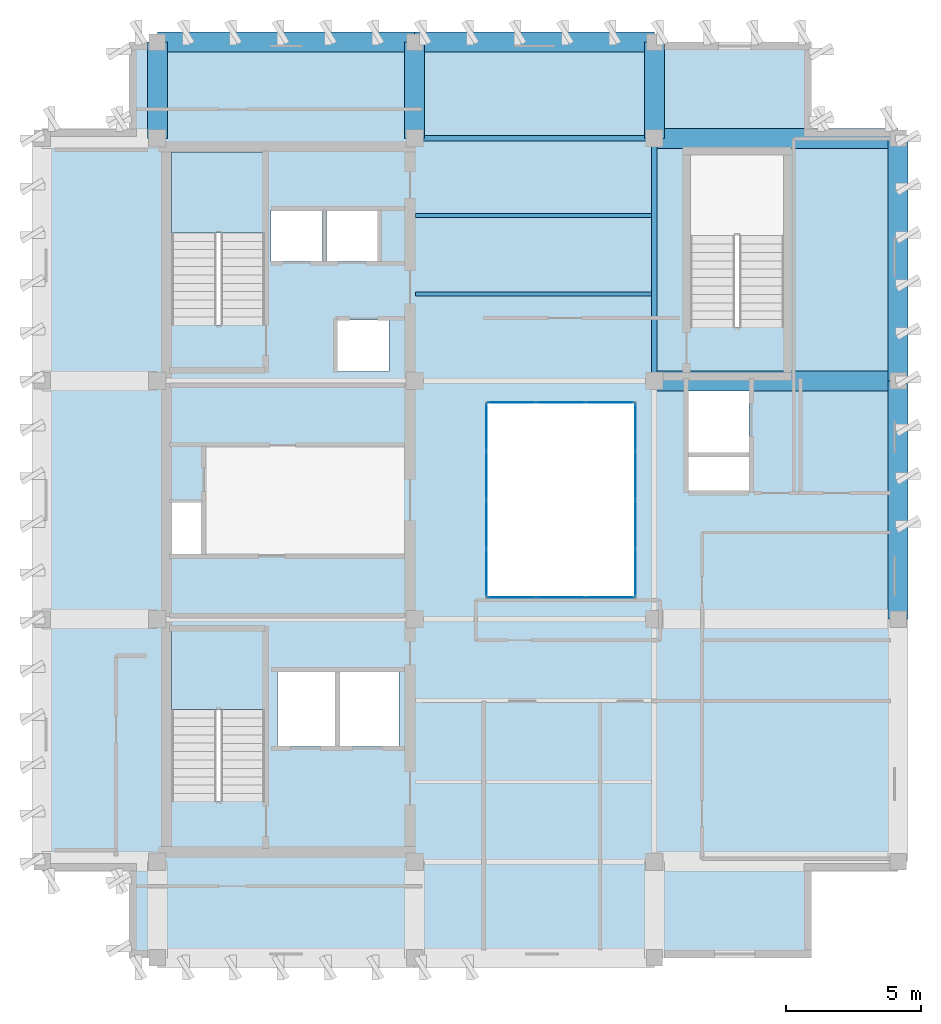
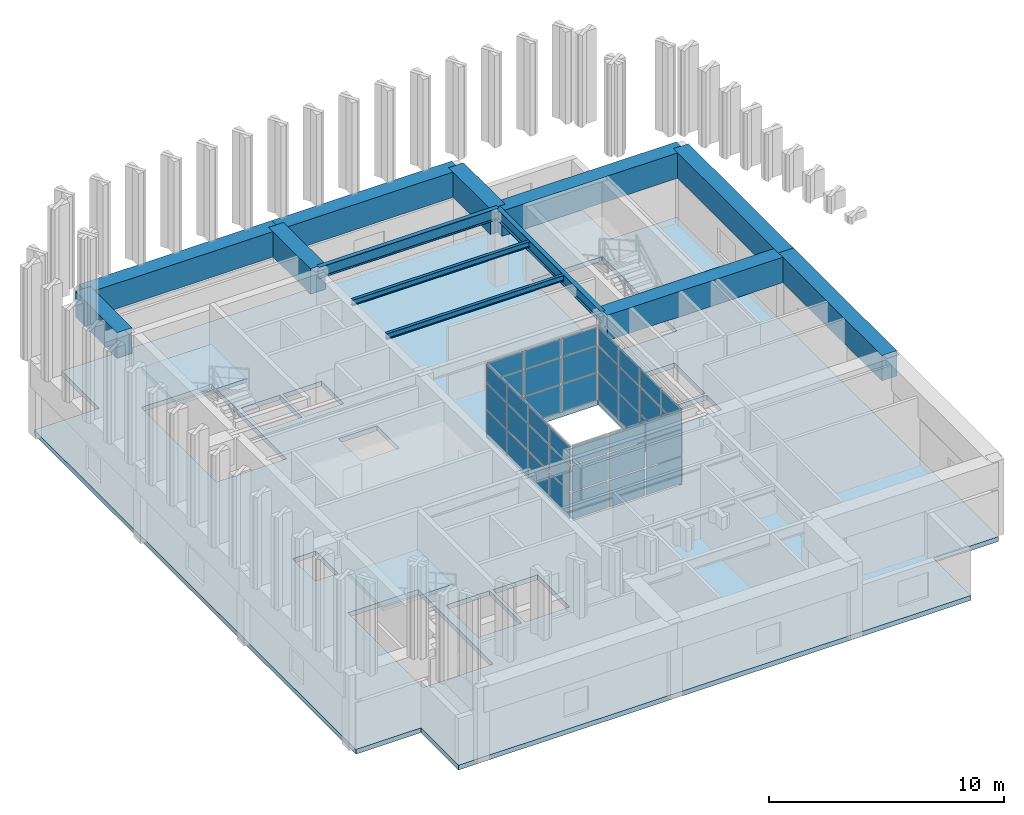
# One storey, part 5 of 11: 42 plates, 13 beams, 3 slabs, 6 elements without a shape of their own.
"""IFC4 building model written with IfcOpenShell, lengths in metres."""

from ifc_helpers import new_model, si_unit, direction, frame, origin, origin_2d, place, context, subcontext, project, spatial, polyline, rectangle, i_section, outline, extrude, material, layer, layer_set, material_profile, profile_set, type_object, element, aggregate, save


model = new_model("IFC4")

# Units and contexts
model_context = context("Model", 3, precision=1e-05, world=origin(), true_north=direction((0.0, 1.0)))
body_context = subcontext(model_context, "Body", "Model", "MODEL_VIEW")
ifc_project = project(units=[si_unit("LENGTHUNIT", "METRE"), si_unit("AREAUNIT", "SQUARE_METRE"), si_unit("VOLUMEUNIT", "CUBIC_METRE"), si_unit("PLANEANGLEUNIT", "RADIAN"), si_unit("MASSUNIT", "GRAM", prefix="KILO")], contexts=[model_context])

# Site, building, storey
site_placement = place(None, origin())
site = spatial("IfcSite", under=ifc_project, at=site_placement, CompositionType="ELEMENT")
building_placement = place(site_placement, origin())
building = spatial("IfcBuilding", under=site, at=building_placement, Name="Kundavana Baori Tower", CompositionType="ELEMENT")
storey_placement = place(building_placement, frame((0.0, 0.0, 350.5)))
storey = spatial("IfcBuildingStorey", under=building, at=storey_placement, Name="L87", CompositionType="ELEMENT", Elevation=350.5)

# Beams
ifc_material_1 = material(Name="Structural Steel S355JR", Category="steel")
ifc_material_profile_1 = material_profile(ifc_material_1, i_section(OverallWidth=0.139892578125, OverallDepth=0.300048828125, WebThickness=0.0078125, FlangeThickness=0.01318359375, FilletRadius=0.013916015625, at=origin_2d()), Name="ISMB 300")
ifc_profile_set_1 = profile_set([ifc_material_profile_1], Name="Structural Steel S355JR")
beam_type_1 = type_object("IfcBeamType", Name="BM-RF-300", PredefinedType="BEAM", material=ifc_profile_set_1)
for number, where, z_axis, x_axis, name in (
    (1, (24.97998046875, 36.199951171875, 3.75), (1.0, 0.0, 0.0), (0.0, 1.0, 0.0), "L87 Central Bay Composite Floor Joist C3"),
    (2, (24.97998046875, 39.10009765625, 3.75), (1.0, 0.0, 0.0), (0.0, 1.0, 0.0), "L87 Central Bay Composite Floor Joist C4"),
):
    element("IfcBeam", number, at=place(storey_placement, frame(where, z_axis=z_axis, x_axis=x_axis)), inside=storey, type_object=beam_type_1, Name=name, PredefinedType="BEAM", context=body_context, shape_type="SweptSolid", body=[
        extrude(i_section(OverallWidth=0.139892578125, OverallDepth=0.300048828125, WebThickness=0.0078125, FlangeThickness=0.01318359375, FilletRadius=0.013916015625, at=origin_2d()), origin(), (0.0, 0.0, 1.0), 8.715087890625),
    ])
ifc_material_2 = material(Name="Structural Steel S355JR", Category="steel")
ifc_material_profile_2 = material_profile(ifc_material_2, i_section(OverallWidth=0.2099609375, OverallDepth=0.60009765625, WebThickness=0.011962890625, FlangeThickness=0.020751953125, FilletRadius=0.02001953125, at=origin_2d()), Name="ISMB 600")
ifc_profile_set_2 = profile_set([ifc_material_profile_2], Name="Structural Steel S355JR")
beam_type_2 = type_object("IfcBeamType", Name="BM-ST-600", PredefinedType="BEAM", material=ifc_profile_set_2)
beam_1_placement = place(storey_placement, frame((24.949951171875, 41.949951171875, 3.60009765625), z_axis=(1.0, 0.0, 0.0), x_axis=(0.0, 1.0, 0.0)))
element("IfcBeam", 3, at=beam_1_placement, inside=storey, type_object=beam_type_2, Name="L87 Primary Grid Girder GX-4-2", PredefinedType="BEAM", context=body_context, shape_type="SweptSolid", body=[
    extrude(i_section(OverallWidth=0.2099609375, OverallDepth=0.60009765625, WebThickness=0.011962890625, FlangeThickness=0.020751953125, FilletRadius=0.02001953125, at=origin_2d()), origin(), (0.0, 0.0, 1.0), 8.85009765625),
])
beam_2_placement = place(storey_placement, frame((33.800048828125, 33.0, 3.60009765625), z_axis=(0.0, 1.0, 0.0), x_axis=(-1.0, 0.0, 0.0)))
element("IfcBeam", 4, at=beam_2_placement, inside=storey, type_object=beam_type_2, Name="L87 Primary Grid Girder GY-3-3", PredefinedType="BEAM", context=body_context, shape_type="SweptSolid", body=[
    extrude(i_section(OverallWidth=0.2099609375, OverallDepth=0.60009765625, WebThickness=0.011962890625, FlangeThickness=0.020751953125, FilletRadius=0.02001953125, at=origin_2d()), origin(), (0.0, 0.0, 1.0), 8.949951171875),
])
ifc_material_3 = material(Name="Concrete C50/60", Category="concrete")
ifc_material_profile_3 = material_profile(ifc_material_3, rectangle(XDim=0.739990234375, YDim=1.320068359375, at=origin_2d()), Name="BM-TG-5")
ifc_profile_set_3 = profile_set([ifc_material_profile_3], Name="Concrete C50/60")
beam_type_3 = type_object("IfcBeamType", Name="BM-TG-5", PredefinedType="USERDEFINED", material=ifc_profile_set_3)
beam_3_placement = place(storey_placement, frame((15.449951171875, 45.5, 3.239990234375), z_axis=(1.0, 0.0, 0.0), x_axis=(0.0, 1.0, 0.0)))
element("IfcBeam", 5, at=beam_3_placement, inside=storey, type_object=beam_type_3, Name="L87 Perimeter Frame Ring Beam N1", ObjectType="TRANSFER GIRDER", PredefinedType="USERDEFINED", context=body_context, shape_type="SweptSolid", body=[
    extrude(rectangle(XDim=0.739990234375, YDim=1.320068359375, at=origin_2d()), origin(), (0.0, 0.0, 1.0), 9.5),
])
beam_4_placement = place(storey_placement, frame((24.949951171875, 45.5, 3.239990234375), z_axis=(1.0, 0.0, 0.0), x_axis=(0.0, 1.0, 0.0)))
element("IfcBeam", 6, at=beam_4_placement, inside=storey, type_object=beam_type_3, Name="L87 Perimeter Frame Ring Beam N2", ObjectType="TRANSFER GIRDER", PredefinedType="USERDEFINED", context=body_context, shape_type="SweptSolid", body=[
    extrude(rectangle(XDim=0.739990234375, YDim=1.320068359375, at=origin_2d()), origin(), (0.0, 0.0, 1.0), 8.85009765625),
])
beam_5_placement = place(storey_placement, frame((42.800048828125, 24.199951171875, 3.239990234375), z_axis=(0.0, 1.0, 0.0), x_axis=(-1.0, 0.0, 0.0)))
element("IfcBeam", 7, at=beam_5_placement, inside=storey, type_object=beam_type_3, Name="L87 Perimeter Frame Ring Beam E2", ObjectType="TRANSFER GIRDER", PredefinedType="USERDEFINED", context=body_context, shape_type="SweptSolid", body=[
    extrude(rectangle(XDim=0.739990234375, YDim=1.320068359375, at=origin_2d()), origin(), (0.0, 0.0, 1.0), 8.800048828125),
])
beam_6_placement = place(storey_placement, frame((42.800048828125, 33.0, 3.239990234375), z_axis=(0.0, 1.0, 0.0), x_axis=(-1.0, 0.0, 0.0)))
element("IfcBeam", 8, at=beam_6_placement, inside=storey, type_object=beam_type_3, Name="L87 Perimeter Frame Ring Beam E3", ObjectType="TRANSFER GIRDER", PredefinedType="USERDEFINED", context=body_context, shape_type="SweptSolid", body=[
    extrude(rectangle(XDim=0.739990234375, YDim=1.320068359375, at=origin_2d()), origin(), (0.0, 0.0, 1.0), 8.949951171875),
])
for number, where, z_axis, x_axis, name in (
    (9, (15.449951171875, 41.949951171875, 3.239990234375), (0.0, 1.0, 0.0), (-1.0, 0.0, 0.0), "L87 North Radial Transfer Girder N1"),
    (10, (24.949951171875, 41.949951171875, 3.239990234375), (0.0, 1.0, 0.0), (-1.0, 0.0, 0.0), "L87 North Radial Transfer Girder N2"),
    (11, (33.800048828125, 41.949951171875, 3.239990234375), (0.0, 1.0, 0.0), (-1.0, 0.0, 0.0), "L87 North Radial Transfer Girder N3"),
):
    element("IfcBeam", number, at=place(storey_placement, frame(where, z_axis=z_axis, x_axis=x_axis)), inside=storey, type_object=beam_type_3, Name=name, ObjectType="TRANSFER GIRDER", PredefinedType="USERDEFINED", context=body_context, shape_type="SweptSolid", body=[
        extrude(rectangle(XDim=0.739990234375, YDim=1.320068359375, at=origin_2d()), origin(), (0.0, 0.0, 1.0), 3.550048828125),
    ])
for number, where, z_axis, x_axis, name in (
    (12, (33.800048828125, 33.0, 3.239990234375), (1.0, 0.0, 0.0), (0.0, 1.0, 0.0), "L87 East Radial Transfer Girder E3"),
    (13, (33.800048828125, 41.949951171875, 3.239990234375), (1.0, 0.0, 0.0), (0.0, 1.0, 0.0), "L87 East Radial Transfer Girder E4"),
):
    element("IfcBeam", number, at=place(storey_placement, frame(where, z_axis=z_axis, x_axis=x_axis)), inside=storey, type_object=beam_type_3, Name=name, ObjectType="TRANSFER GIRDER", PredefinedType="USERDEFINED", context=body_context, shape_type="SweptSolid", body=[
        extrude(rectangle(XDim=0.739990234375, YDim=1.320068359375, at=origin_2d()), origin(), (0.0, 0.0, 1.0), 9.0),
    ])

# Curtain wall, plates
ifc_material_4 = material(Name="Thermally Broken Anodised Aluminium Framing", Category="aluminium")
ifc_layer_1 = layer(ifc_material_4, 0.235107421875, Name="CW-SYS-6")
ifc_layer_set_1 = layer_set([ifc_layer_1], Name="Thermally Broken Anodised Aluminium Framing")
curtain_wall_type = type_object("IfcCurtainWallType", Name="CW-SYS-6", PredefinedType="NOTDEFINED", material=ifc_layer_set_1)
curtain_wall_1_placement = place(storey_placement, origin())
curtain_wall_1 = element("IfcCurtainWall", 14, at=curtain_wall_1_placement, inside=storey, type_object=curtain_wall_type, Name="L87 Atrium Glazed Curtain Wall S", PredefinedType="NOTDEFINED")
ifc_material_5 = material(Name="Double-Glazed Solar-Control Low-E Insulated Glass", Category="glass")
ifc_layer_2 = layer(ifc_material_5, 0.028076171875, Name="CW-PNL-GLS28")
ifc_layer_set_2 = layer_set([ifc_layer_2], Name="Double-Glazed Solar-Control Low-E Insulated Glass")
plate_type = type_object("IfcPlateType", Name="CW-PNL-GLS28", PredefinedType="CURTAIN_PANEL", material=ifc_layer_set_2)
plate_1_placement = place(storey_placement, frame((28.532958984375, 25.0, 0.06494140625), z_axis=(0.0, 0.0, 1.0), x_axis=(1.0, 0.0, 0.0)))
plate_1 = element("IfcPlate", 15, at=plate_1_placement, type_object=plate_type, Name="CW6 panel 1.1", PredefinedType="CURTAIN_PANEL", context=body_context, shape_type="SweptSolid", body=[
    extrude(rectangle(XDim=1.73583984375, YDim=0.028076171875, at=origin_2d()), origin(), (0.0, 0.0, 1.0), 1.384521484375),
])
plate_2_placement = place(storey_placement, frame((28.532958984375, 25.0, 1.5146484375), z_axis=(0.0, 0.0, 1.0), x_axis=(1.0, 0.0, 0.0)))
plate_2 = element("IfcPlate", 16, at=plate_2_placement, type_object=plate_type, Name="CW6 panel 1.2", PredefinedType="CURTAIN_PANEL", context=body_context, shape_type="SweptSolid", body=[
    extrude(rectangle(XDim=1.73583984375, YDim=0.028076171875, at=origin_2d()), origin(), (0.0, 0.0, 1.0), 1.339111328125),
])
plate_3_placement = place(storey_placement, frame((28.532958984375, 25.0, 2.91845703125), z_axis=(0.0, 0.0, 1.0), x_axis=(1.0, 0.0, 0.0)))
plate_3 = element("IfcPlate", 17, at=plate_3_placement, type_object=plate_type, Name="CW6 panel 1.3", PredefinedType="CURTAIN_PANEL", context=body_context, shape_type="SweptSolid", body=[
    extrude(rectangle(XDim=1.73583984375, YDim=0.028076171875, at=origin_2d()), origin(), (0.0, 0.0, 1.0), 0.91650390625),
])
plate_4_placement = place(storey_placement, frame((30.35009765625, 25.0, 0.06494140625), z_axis=(0.0, 0.0, 1.0), x_axis=(1.0, 0.0, 0.0)))
plate_4 = element("IfcPlate", 18, at=plate_4_placement, type_object=plate_type, Name="CW6 panel 2.1", PredefinedType="CURTAIN_PANEL", context=body_context, shape_type="SweptSolid", body=[
    extrude(rectangle(XDim=1.768310546875, YDim=0.028076171875, at=origin_2d()), origin(), (0.0, 0.0, 1.0), 1.384521484375),
])
plate_5_placement = place(storey_placement, frame((30.35009765625, 25.0, 1.5146484375), z_axis=(0.0, 0.0, 1.0), x_axis=(1.0, 0.0, 0.0)))
plate_5 = element("IfcPlate", 19, at=plate_5_placement, type_object=plate_type, Name="CW6 panel 2.2", PredefinedType="CURTAIN_PANEL", context=body_context, shape_type="SweptSolid", body=[
    extrude(rectangle(XDim=1.768310546875, YDim=0.028076171875, at=origin_2d()), origin(), (0.0, 0.0, 1.0), 1.339111328125),
])
plate_6_placement = place(storey_placement, frame((30.35009765625, 25.0, 2.91845703125), z_axis=(0.0, 0.0, 1.0), x_axis=(1.0, 0.0, 0.0)))
plate_6 = element("IfcPlate", 20, at=plate_6_placement, type_object=plate_type, Name="CW6 panel 2.3", PredefinedType="CURTAIN_PANEL", context=body_context, shape_type="SweptSolid", body=[
    extrude(rectangle(XDim=1.768310546875, YDim=0.028076171875, at=origin_2d()), origin(), (0.0, 0.0, 1.0), 0.91650390625),
])
plate_7_placement = place(storey_placement, frame((32.1669921875, 25.0, 0.06494140625), z_axis=(0.0, 0.0, 1.0), x_axis=(1.0, 0.0, 0.0)))
plate_7 = element("IfcPlate", 21, at=plate_7_placement, type_object=plate_type, Name="CW6 panel 3.1", PredefinedType="CURTAIN_PANEL", context=body_context, shape_type="SweptSolid", body=[
    extrude(rectangle(XDim=1.73583984375, YDim=0.028076171875, at=origin_2d()), origin(), (0.0, 0.0, 1.0), 1.384521484375),
])
plate_8_placement = place(storey_placement, frame((32.1669921875, 25.0, 1.5146484375), z_axis=(0.0, 0.0, 1.0), x_axis=(1.0, 0.0, 0.0)))
plate_8 = element("IfcPlate", 22, at=plate_8_placement, type_object=plate_type, Name="CW6 panel 3.2", PredefinedType="CURTAIN_PANEL", context=body_context, shape_type="SweptSolid", body=[
    extrude(rectangle(XDim=1.73583984375, YDim=0.028076171875, at=origin_2d()), origin(), (0.0, 0.0, 1.0), 1.339111328125),
])
plate_9_placement = place(storey_placement, frame((32.1669921875, 25.0, 2.91845703125), z_axis=(0.0, 0.0, 1.0), x_axis=(1.0, 0.0, 0.0)))
plate_9 = element("IfcPlate", 23, at=plate_9_placement, type_object=plate_type, Name="CW6 panel 3.3", PredefinedType="CURTAIN_PANEL", context=body_context, shape_type="SweptSolid", body=[
    extrude(rectangle(XDim=1.73583984375, YDim=0.028076171875, at=origin_2d()), origin(), (0.0, 0.0, 1.0), 0.91650390625),
])
aggregate(curtain_wall_1, [plate_1, plate_2, plate_3, plate_4, plate_5, plate_6, plate_7, plate_8, plate_9])

curtain_wall_2_placement = place(storey_placement, origin())
curtain_wall_2 = element("IfcCurtainWall", 24, at=curtain_wall_2_placement, inside=storey, type_object=curtain_wall_type, Name="L87 Atrium Glazed Curtain Wall E", PredefinedType="NOTDEFINED")
plate_10_placement = place(storey_placement, frame((33.10009765625, 25.916259765625, 0.06494140625), z_axis=(0.0, 0.0, 1.0), x_axis=(0.0, 1.0, 0.0)))
plate_10 = element("IfcPlate", 25, at=plate_10_placement, type_object=plate_type, Name="CW6 panel 1.1", PredefinedType="CURTAIN_PANEL", context=body_context, shape_type="SweptSolid", body=[
    extrude(rectangle(XDim=1.702392578125, YDim=0.028076171875, at=origin_2d()), origin(), (0.0, 0.0, 1.0), 1.384521484375),
])
plate_11_placement = place(storey_placement, frame((33.10009765625, 25.916259765625, 1.5146484375), z_axis=(0.0, 0.0, 1.0), x_axis=(0.0, 1.0, 0.0)))
plate_11 = element("IfcPlate", 26, at=plate_11_placement, type_object=plate_type, Name="CW6 panel 1.2", PredefinedType="CURTAIN_PANEL", context=body_context, shape_type="SweptSolid", body=[
    extrude(rectangle(XDim=1.702392578125, YDim=0.028076171875, at=origin_2d()), origin(), (0.0, 0.0, 1.0), 1.339111328125),
])
plate_12_placement = place(storey_placement, frame((33.10009765625, 25.916259765625, 2.91845703125), z_axis=(0.0, 0.0, 1.0), x_axis=(0.0, 1.0, 0.0)))
plate_12 = element("IfcPlate", 27, at=plate_12_placement, type_object=plate_type, Name="CW6 panel 1.3", PredefinedType="CURTAIN_PANEL", context=body_context, shape_type="SweptSolid", body=[
    extrude(rectangle(XDim=1.702392578125, YDim=0.028076171875, at=origin_2d()), origin(), (0.0, 0.0, 1.0), 0.91650390625),
])
plate_13_placement = place(storey_placement, frame((33.10009765625, 27.699951171875, 0.06494140625), z_axis=(0.0, 0.0, 1.0), x_axis=(0.0, 1.0, 0.0)))
plate_13 = element("IfcPlate", 28, at=plate_13_placement, type_object=plate_type, Name="CW6 panel 2.1", PredefinedType="CURTAIN_PANEL", context=body_context, shape_type="SweptSolid", body=[
    extrude(rectangle(XDim=1.735107421875, YDim=0.028076171875, at=origin_2d()), origin(), (0.0, 0.0, 1.0), 1.384521484375),
])
plate_14_placement = place(storey_placement, frame((33.10009765625, 27.699951171875, 1.5146484375), z_axis=(0.0, 0.0, 1.0), x_axis=(0.0, 1.0, 0.0)))
plate_14 = element("IfcPlate", 29, at=plate_14_placement, type_object=plate_type, Name="CW6 panel 2.2", PredefinedType="CURTAIN_PANEL", context=body_context, shape_type="SweptSolid", body=[
    extrude(rectangle(XDim=1.735107421875, YDim=0.028076171875, at=origin_2d()), origin(), (0.0, 0.0, 1.0), 1.339111328125),
])
plate_15_placement = place(storey_placement, frame((33.10009765625, 27.699951171875, 2.91845703125), z_axis=(0.0, 0.0, 1.0), x_axis=(0.0, 1.0, 0.0)))
plate_15 = element("IfcPlate", 30, at=plate_15_placement, type_object=plate_type, Name="CW6 panel 2.3", PredefinedType="CURTAIN_PANEL", context=body_context, shape_type="SweptSolid", body=[
    extrude(rectangle(XDim=1.735107421875, YDim=0.028076171875, at=origin_2d()), origin(), (0.0, 0.0, 1.0), 0.91650390625),
])
plate_16_placement = place(storey_placement, frame((33.10009765625, 29.5, 0.06494140625), z_axis=(0.0, 0.0, 1.0), x_axis=(0.0, 1.0, 0.0)))
plate_16 = element("IfcPlate", 31, at=plate_16_placement, type_object=plate_type, Name="CW6 panel 3.1", PredefinedType="CURTAIN_PANEL", context=body_context, shape_type="SweptSolid", body=[
    extrude(rectangle(XDim=1.735107421875, YDim=0.028076171875, at=origin_2d()), origin(), (0.0, 0.0, 1.0), 1.384521484375),
])
plate_17_placement = place(storey_placement, frame((33.10009765625, 29.5, 1.5146484375), z_axis=(0.0, 0.0, 1.0), x_axis=(0.0, 1.0, 0.0)))
plate_17 = element("IfcPlate", 32, at=plate_17_placement, type_object=plate_type, Name="CW6 panel 3.2", PredefinedType="CURTAIN_PANEL", context=body_context, shape_type="SweptSolid", body=[
    extrude(rectangle(XDim=1.735107421875, YDim=0.028076171875, at=origin_2d()), origin(), (0.0, 0.0, 1.0), 1.339111328125),
])
plate_18_placement = place(storey_placement, frame((33.10009765625, 29.5, 2.91845703125), z_axis=(0.0, 0.0, 1.0), x_axis=(0.0, 1.0, 0.0)))
plate_18 = element("IfcPlate", 33, at=plate_18_placement, type_object=plate_type, Name="CW6 panel 3.3", PredefinedType="CURTAIN_PANEL", context=body_context, shape_type="SweptSolid", body=[
    extrude(rectangle(XDim=1.735107421875, YDim=0.028076171875, at=origin_2d()), origin(), (0.0, 0.0, 1.0), 0.91650390625),
])
plate_19_placement = place(storey_placement, frame((33.10009765625, 31.28369140625, 0.06494140625), z_axis=(0.0, 0.0, 1.0), x_axis=(0.0, 1.0, 0.0)))
plate_19 = element("IfcPlate", 34, at=plate_19_placement, type_object=plate_type, Name="CW6 panel 4.1", PredefinedType="CURTAIN_PANEL", context=body_context, shape_type="SweptSolid", body=[
    extrude(rectangle(XDim=1.702392578125, YDim=0.028076171875, at=origin_2d()), origin(), (0.0, 0.0, 1.0), 1.384521484375),
])
plate_20_placement = place(storey_placement, frame((33.10009765625, 31.28369140625, 1.5146484375), z_axis=(0.0, 0.0, 1.0), x_axis=(0.0, 1.0, 0.0)))
plate_20 = element("IfcPlate", 35, at=plate_20_placement, type_object=plate_type, Name="CW6 panel 4.2", PredefinedType="CURTAIN_PANEL", context=body_context, shape_type="SweptSolid", body=[
    extrude(rectangle(XDim=1.702392578125, YDim=0.028076171875, at=origin_2d()), origin(), (0.0, 0.0, 1.0), 1.339111328125),
])
plate_21_placement = place(storey_placement, frame((33.10009765625, 31.28369140625, 2.91845703125), z_axis=(0.0, 0.0, 1.0), x_axis=(0.0, 1.0, 0.0)))
plate_21 = element("IfcPlate", 36, at=plate_21_placement, type_object=plate_type, Name="CW6 panel 4.3", PredefinedType="CURTAIN_PANEL", context=body_context, shape_type="SweptSolid", body=[
    extrude(rectangle(XDim=1.702392578125, YDim=0.028076171875, at=origin_2d()), origin(), (0.0, 0.0, 1.0), 0.91650390625),
])
aggregate(curtain_wall_2, [plate_10, plate_11, plate_12, plate_13, plate_14, plate_15, plate_16, plate_17, plate_18, plate_19, plate_20, plate_21])

curtain_wall_3_placement = place(storey_placement, origin())
curtain_wall_3 = element("IfcCurtainWall", 37, at=curtain_wall_3_placement, inside=storey, type_object=curtain_wall_type, Name="L87 Atrium Glazed Curtain Wall N", PredefinedType="NOTDEFINED")
plate_22_placement = place(storey_placement, frame((32.1669921875, 32.199951171875, 0.06494140625), z_axis=(0.0, 0.0, 1.0), x_axis=(-1.0, 0.0, 0.0)))
plate_22 = element("IfcPlate", 38, at=plate_22_placement, type_object=plate_type, Name="CW6 panel 1.1", PredefinedType="CURTAIN_PANEL", context=body_context, shape_type="SweptSolid", body=[
    extrude(rectangle(XDim=1.73583984375, YDim=0.028076171875, at=origin_2d()), origin(), (0.0, 0.0, 1.0), 1.384521484375),
])
plate_23_placement = place(storey_placement, frame((32.1669921875, 32.199951171875, 1.5146484375), z_axis=(0.0, 0.0, 1.0), x_axis=(-1.0, 0.0, 0.0)))
plate_23 = element("IfcPlate", 39, at=plate_23_placement, type_object=plate_type, Name="CW6 panel 1.2", PredefinedType="CURTAIN_PANEL", context=body_context, shape_type="SweptSolid", body=[
    extrude(rectangle(XDim=1.73583984375, YDim=0.028076171875, at=origin_2d()), origin(), (0.0, 0.0, 1.0), 1.339111328125),
])
plate_24_placement = place(storey_placement, frame((32.1669921875, 32.199951171875, 2.91845703125), z_axis=(0.0, 0.0, 1.0), x_axis=(-1.0, 0.0, 0.0)))
plate_24 = element("IfcPlate", 40, at=plate_24_placement, type_object=plate_type, Name="CW6 panel 1.3", PredefinedType="CURTAIN_PANEL", context=body_context, shape_type="SweptSolid", body=[
    extrude(rectangle(XDim=1.73583984375, YDim=0.028076171875, at=origin_2d()), origin(), (0.0, 0.0, 1.0), 0.91650390625),
])
plate_25_placement = place(storey_placement, frame((30.35009765625, 32.199951171875, 0.06494140625), z_axis=(0.0, 0.0, 1.0), x_axis=(-1.0, 0.0, 0.0)))
plate_25 = element("IfcPlate", 41, at=plate_25_placement, type_object=plate_type, Name="CW6 panel 2.1", PredefinedType="CURTAIN_PANEL", context=body_context, shape_type="SweptSolid", body=[
    extrude(rectangle(XDim=1.768310546875, YDim=0.028076171875, at=origin_2d()), origin(), (0.0, 0.0, 1.0), 1.384521484375),
])
plate_26_placement = place(storey_placement, frame((30.35009765625, 32.199951171875, 1.5146484375), z_axis=(0.0, 0.0, 1.0), x_axis=(-1.0, 0.0, 0.0)))
plate_26 = element("IfcPlate", 42, at=plate_26_placement, type_object=plate_type, Name="CW6 panel 2.2", PredefinedType="CURTAIN_PANEL", context=body_context, shape_type="SweptSolid", body=[
    extrude(rectangle(XDim=1.768310546875, YDim=0.028076171875, at=origin_2d()), origin(), (0.0, 0.0, 1.0), 1.339111328125),
])
plate_27_placement = place(storey_placement, frame((30.35009765625, 32.199951171875, 2.91845703125), z_axis=(0.0, 0.0, 1.0), x_axis=(-1.0, 0.0, 0.0)))
plate_27 = element("IfcPlate", 43, at=plate_27_placement, type_object=plate_type, Name="CW6 panel 2.3", PredefinedType="CURTAIN_PANEL", context=body_context, shape_type="SweptSolid", body=[
    extrude(rectangle(XDim=1.768310546875, YDim=0.028076171875, at=origin_2d()), origin(), (0.0, 0.0, 1.0), 0.91650390625),
])
plate_28_placement = place(storey_placement, frame((28.532958984375, 32.199951171875, 0.06494140625), z_axis=(0.0, 0.0, 1.0), x_axis=(-1.0, 0.0, 0.0)))
plate_28 = element("IfcPlate", 44, at=plate_28_placement, type_object=plate_type, Name="CW6 panel 3.1", PredefinedType="CURTAIN_PANEL", context=body_context, shape_type="SweptSolid", body=[
    extrude(rectangle(XDim=1.73583984375, YDim=0.028076171875, at=origin_2d()), origin(), (0.0, 0.0, 1.0), 1.384521484375),
])
plate_29_placement = place(storey_placement, frame((28.532958984375, 32.199951171875, 1.5146484375), z_axis=(0.0, 0.0, 1.0), x_axis=(-1.0, 0.0, 0.0)))
plate_29 = element("IfcPlate", 45, at=plate_29_placement, type_object=plate_type, Name="CW6 panel 3.2", PredefinedType="CURTAIN_PANEL", context=body_context, shape_type="SweptSolid", body=[
    extrude(rectangle(XDim=1.73583984375, YDim=0.028076171875, at=origin_2d()), origin(), (0.0, 0.0, 1.0), 1.339111328125),
])
plate_30_placement = place(storey_placement, frame((28.532958984375, 32.199951171875, 2.91845703125), z_axis=(0.0, 0.0, 1.0), x_axis=(-1.0, 0.0, 0.0)))
plate_30 = element("IfcPlate", 46, at=plate_30_placement, type_object=plate_type, Name="CW6 panel 3.3", PredefinedType="CURTAIN_PANEL", context=body_context, shape_type="SweptSolid", body=[
    extrude(rectangle(XDim=1.73583984375, YDim=0.028076171875, at=origin_2d()), origin(), (0.0, 0.0, 1.0), 0.91650390625),
])
aggregate(curtain_wall_3, [plate_22, plate_23, plate_24, plate_25, plate_26, plate_27, plate_28, plate_29, plate_30])

curtain_wall_4_placement = place(storey_placement, origin())
curtain_wall_4 = element("IfcCurtainWall", 47, at=curtain_wall_4_placement, inside=storey, type_object=curtain_wall_type, Name="L87 Atrium Glazed Curtain Wall W", PredefinedType="NOTDEFINED")
plate_31_placement = place(storey_placement, frame((27.60009765625, 31.28369140625, 0.06494140625), z_axis=(0.0, 0.0, 1.0), x_axis=(0.0, -1.0, 0.0)))
plate_31 = element("IfcPlate", 48, at=plate_31_placement, type_object=plate_type, Name="CW6 panel 1.1", PredefinedType="CURTAIN_PANEL", context=body_context, shape_type="SweptSolid", body=[
    extrude(rectangle(XDim=1.702392578125, YDim=0.028076171875, at=origin_2d()), origin(), (0.0, 0.0, 1.0), 1.384521484375),
])
plate_32_placement = place(storey_placement, frame((27.60009765625, 31.28369140625, 1.5146484375), z_axis=(0.0, 0.0, 1.0), x_axis=(0.0, -1.0, 0.0)))
plate_32 = element("IfcPlate", 49, at=plate_32_placement, type_object=plate_type, Name="CW6 panel 1.2", PredefinedType="CURTAIN_PANEL", context=body_context, shape_type="SweptSolid", body=[
    extrude(rectangle(XDim=1.702392578125, YDim=0.028076171875, at=origin_2d()), origin(), (0.0, 0.0, 1.0), 1.339111328125),
])
plate_33_placement = place(storey_placement, frame((27.60009765625, 31.28369140625, 2.91845703125), z_axis=(0.0, 0.0, 1.0), x_axis=(0.0, -1.0, 0.0)))
plate_33 = element("IfcPlate", 50, at=plate_33_placement, type_object=plate_type, Name="CW6 panel 1.3", PredefinedType="CURTAIN_PANEL", context=body_context, shape_type="SweptSolid", body=[
    extrude(rectangle(XDim=1.702392578125, YDim=0.028076171875, at=origin_2d()), origin(), (0.0, 0.0, 1.0), 0.91650390625),
])
plate_34_placement = place(storey_placement, frame((27.60009765625, 29.5, 0.06494140625), z_axis=(0.0, 0.0, 1.0), x_axis=(0.0, -1.0, 0.0)))
plate_34 = element("IfcPlate", 51, at=plate_34_placement, type_object=plate_type, Name="CW6 panel 2.1", PredefinedType="CURTAIN_PANEL", context=body_context, shape_type="SweptSolid", body=[
    extrude(rectangle(XDim=1.735107421875, YDim=0.028076171875, at=origin_2d()), origin(), (0.0, 0.0, 1.0), 1.384521484375),
])
plate_35_placement = place(storey_placement, frame((27.60009765625, 29.5, 1.5146484375), z_axis=(0.0, 0.0, 1.0), x_axis=(0.0, -1.0, 0.0)))
plate_35 = element("IfcPlate", 52, at=plate_35_placement, type_object=plate_type, Name="CW6 panel 2.2", PredefinedType="CURTAIN_PANEL", context=body_context, shape_type="SweptSolid", body=[
    extrude(rectangle(XDim=1.735107421875, YDim=0.028076171875, at=origin_2d()), origin(), (0.0, 0.0, 1.0), 1.339111328125),
])
plate_36_placement = place(storey_placement, frame((27.60009765625, 29.5, 2.91845703125), z_axis=(0.0, 0.0, 1.0), x_axis=(0.0, -1.0, 0.0)))
plate_36 = element("IfcPlate", 53, at=plate_36_placement, type_object=plate_type, Name="CW6 panel 2.3", PredefinedType="CURTAIN_PANEL", context=body_context, shape_type="SweptSolid", body=[
    extrude(rectangle(XDim=1.735107421875, YDim=0.028076171875, at=origin_2d()), origin(), (0.0, 0.0, 1.0), 0.91650390625),
])
plate_37_placement = place(storey_placement, frame((27.60009765625, 27.699951171875, 0.06494140625), z_axis=(0.0, 0.0, 1.0), x_axis=(0.0, -1.0, 0.0)))
plate_37 = element("IfcPlate", 54, at=plate_37_placement, type_object=plate_type, Name="CW6 panel 3.1", PredefinedType="CURTAIN_PANEL", context=body_context, shape_type="SweptSolid", body=[
    extrude(rectangle(XDim=1.735107421875, YDim=0.028076171875, at=origin_2d()), origin(), (0.0, 0.0, 1.0), 1.384521484375),
])
plate_38_placement = place(storey_placement, frame((27.60009765625, 27.699951171875, 1.5146484375), z_axis=(0.0, 0.0, 1.0), x_axis=(0.0, -1.0, 0.0)))
plate_38 = element("IfcPlate", 55, at=plate_38_placement, type_object=plate_type, Name="CW6 panel 3.2", PredefinedType="CURTAIN_PANEL", context=body_context, shape_type="SweptSolid", body=[
    extrude(rectangle(XDim=1.735107421875, YDim=0.028076171875, at=origin_2d()), origin(), (0.0, 0.0, 1.0), 1.339111328125),
])
plate_39_placement = place(storey_placement, frame((27.60009765625, 27.699951171875, 2.91845703125), z_axis=(0.0, 0.0, 1.0), x_axis=(0.0, -1.0, 0.0)))
plate_39 = element("IfcPlate", 56, at=plate_39_placement, type_object=plate_type, Name="CW6 panel 3.3", PredefinedType="CURTAIN_PANEL", context=body_context, shape_type="SweptSolid", body=[
    extrude(rectangle(XDim=1.735107421875, YDim=0.028076171875, at=origin_2d()), origin(), (0.0, 0.0, 1.0), 0.91650390625),
])
plate_40_placement = place(storey_placement, frame((27.60009765625, 25.916259765625, 0.06494140625), z_axis=(0.0, 0.0, 1.0), x_axis=(0.0, -1.0, 0.0)))
plate_40 = element("IfcPlate", 57, at=plate_40_placement, type_object=plate_type, Name="CW6 panel 4.1", PredefinedType="CURTAIN_PANEL", context=body_context, shape_type="SweptSolid", body=[
    extrude(rectangle(XDim=1.702392578125, YDim=0.028076171875, at=origin_2d()), origin(), (0.0, 0.0, 1.0), 1.384521484375),
])
plate_41_placement = place(storey_placement, frame((27.60009765625, 25.916259765625, 1.5146484375), z_axis=(0.0, 0.0, 1.0), x_axis=(0.0, -1.0, 0.0)))
plate_41 = element("IfcPlate", 58, at=plate_41_placement, type_object=plate_type, Name="CW6 panel 4.2", PredefinedType="CURTAIN_PANEL", context=body_context, shape_type="SweptSolid", body=[
    extrude(rectangle(XDim=1.702392578125, YDim=0.028076171875, at=origin_2d()), origin(), (0.0, 0.0, 1.0), 1.339111328125),
])
plate_42_placement = place(storey_placement, frame((27.60009765625, 25.916259765625, 2.91845703125), z_axis=(0.0, 0.0, 1.0), x_axis=(0.0, -1.0, 0.0)))
plate_42 = element("IfcPlate", 59, at=plate_42_placement, type_object=plate_type, Name="CW6 panel 4.3", PredefinedType="CURTAIN_PANEL", context=body_context, shape_type="SweptSolid", body=[
    extrude(rectangle(XDim=1.702392578125, YDim=0.028076171875, at=origin_2d()), origin(), (0.0, 0.0, 1.0), 0.91650390625),
])
aggregate(curtain_wall_4, [plate_31, plate_32, plate_33, plate_34, plate_35, plate_36, plate_37, plate_38, plate_39, plate_40, plate_41, plate_42])

# Slab
ifc_material_6 = material(Name="Concrete C40/50", Category="concrete")
ifc_layer_3 = layer(ifc_material_6, 0.25, Name="SLB-FLR-250")
ifc_layer_set_3 = layer_set([ifc_layer_3], Name="Concrete C40/50")
slab_type_1 = type_object("IfcSlabType", Name="SLB-FLR-250", PredefinedType="FLOOR", material=ifc_layer_set_3)
slab_1_placement = place(storey_placement, frame((0.0, 0.0, -0.25)))
element("IfcSlab", 60, at=slab_1_placement, inside=storey, type_object=slab_type_1, Name="L87 Structural Floor Slab", PredefinedType="FLOOR", context=body_context, shape_type="SweptSolid", body=[
    extrude(outline(polyline([(14.39990234375, 11.699951171875), (39.60009765625, 11.699951171875), (39.60009765625, 14.89990234375), (42.800048828125, 14.89990234375), (42.800048828125, 42.300048828125), (39.60009765625, 42.300048828125), (39.60009765625, 45.5), (14.39990234375, 45.5), (14.39990234375, 42.300048828125), (11.199951171875, 42.300048828125), (11.199951171875, 14.89990234375), (14.39990234375, 14.89990234375), (14.39990234375, 11.699951171875)]), holes=[polyline([(19.43994140625, 17.4619140625), (19.43994140625, 23.85009765625), (15.97998046875, 23.85009765625), (15.97998046875, 17.4619140625), (19.43994140625, 17.4619140625)]), polyline([(19.43994140625, 35.06201171875), (19.43994140625, 41.449951171875), (15.97998046875, 41.449951171875), (15.97998046875, 35.06201171875), (19.43994140625, 35.06201171875)]), polyline([(38.580078125, 34.9619140625), (38.580078125, 41.35009765625), (35.1201171875, 41.35009765625), (35.1201171875, 34.9619140625), (38.580078125, 34.9619140625)]), polyline([(19.64990234375, 37.39990234375), (21.550048828125, 37.39990234375), (21.550048828125, 39.300048828125), (19.64990234375, 39.300048828125), (19.64990234375, 37.39990234375)]), polyline([(21.699951171875, 37.39990234375), (23.60009765625, 37.39990234375), (23.60009765625, 39.300048828125), (21.699951171875, 39.300048828125), (21.699951171875, 37.39990234375)]), polyline([(22.10009765625, 33.35009765625), (24.0, 33.35009765625), (24.0, 35.25), (22.10009765625, 35.25), (22.10009765625, 33.35009765625)]), polyline([(19.8798828125, 19.5), (22.02001953125, 19.5), (22.02001953125, 22.25), (19.8798828125, 22.25), (19.8798828125, 19.5)]), polyline([(22.179931640625, 19.5), (24.3798828125, 19.5), (24.3798828125, 22.25), (22.179931640625, 22.25), (22.179931640625, 19.5)]), polyline([(35.050048828125, 30.35009765625), (37.300048828125, 30.35009765625), (37.300048828125, 32.949951171875), (35.050048828125, 32.949951171875), (35.050048828125, 30.35009765625)]), polyline([(15.949951171875, 26.60009765625), (17.080078125, 26.60009765625), (17.080078125, 28.5), (15.949951171875, 28.5), (15.949951171875, 26.60009765625)]), polyline([(35.050048828125, 28.949951171875), (37.300048828125, 28.949951171875), (37.300048828125, 30.199951171875), (35.050048828125, 30.199951171875), (35.050048828125, 28.949951171875)]), polyline([(27.60009765625, 25.0), (33.10009765625, 25.0), (33.10009765625, 32.199951171875), (27.60009765625, 32.199951171875), (27.60009765625, 25.0)])]), origin(), (0.0, 0.0, 1.0), 0.25),
])

# Stair, slab
ifc_material_7 = material(Name="Concrete C40/50", Category="concrete")
stair_type = type_object("IfcStairType", Name="STR-DOG-1650", PredefinedType="HALF_TURN_STAIR", material=ifc_material_7)
stair_1_placement = place(storey_placement, origin())
stair_1 = element("IfcStair", 61, at=stair_1_placement, inside=storey, type_object=stair_type, Name="L87 Protected Exit Stair ST1", PredefinedType="HALF_TURN_STAIR")
ifc_material_8 = material(Name="Concrete C40/50", Category="concrete")
ifc_layer_4 = layer(ifc_material_8, 0.199951171875, Name="SLB-LND-200")
ifc_layer_set_4 = layer_set([ifc_layer_4], Name="Concrete C40/50")
slab_type_2 = type_object("IfcSlabType", Name="SLB-LND-200", PredefinedType="LANDING", material=ifc_layer_set_4)
slab_2_placement = place(storey_placement, frame((0.0, 0.0, 1.89990234375)))
slab_2 = element("IfcSlab", 62, at=slab_2_placement, type_object=slab_type_2, Name="ST1 landing 1", PredefinedType="LANDING", context=body_context, shape_type="SweptSolid", body=[
    extrude(outline(polyline([(19.43994140625, 20.860107421875), (19.43994140625, 23.85009765625), (15.97998046875, 23.85009765625), (15.97998046875, 20.860107421875), (19.43994140625, 20.860107421875)])), origin(), (0.0, 0.0, 1.0), 0.2001953125),
])
aggregate(stair_1, [slab_2])

stair_2_placement = place(storey_placement, origin())
stair_2 = element("IfcStair", 63, at=stair_2_placement, inside=storey, type_object=stair_type, Name="L87 Protected Exit Stair ST2", PredefinedType="HALF_TURN_STAIR")
slab_3_placement = place(storey_placement, frame((0.0, 0.0, 1.89990234375)))
slab_3 = element("IfcSlab", 64, at=slab_3_placement, type_object=slab_type_2, Name="ST2 landing 1", PredefinedType="LANDING", context=body_context, shape_type="SweptSolid", body=[
    extrude(outline(polyline([(19.43994140625, 38.4599609375), (19.43994140625, 41.449951171875), (15.97998046875, 41.449951171875), (15.97998046875, 38.4599609375), (19.43994140625, 38.4599609375)])), origin(), (0.0, 0.0, 1.0), 0.2001953125),
])
aggregate(stair_2, [slab_3])

save(model, "model.ifc")
